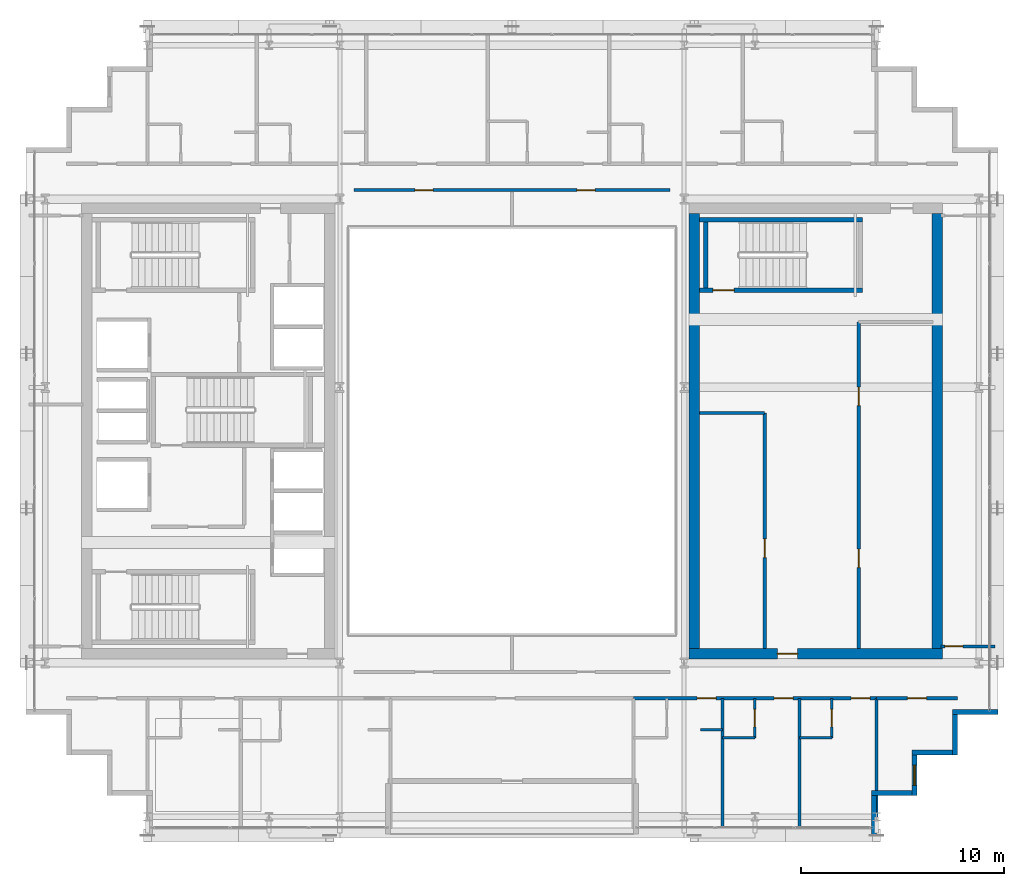
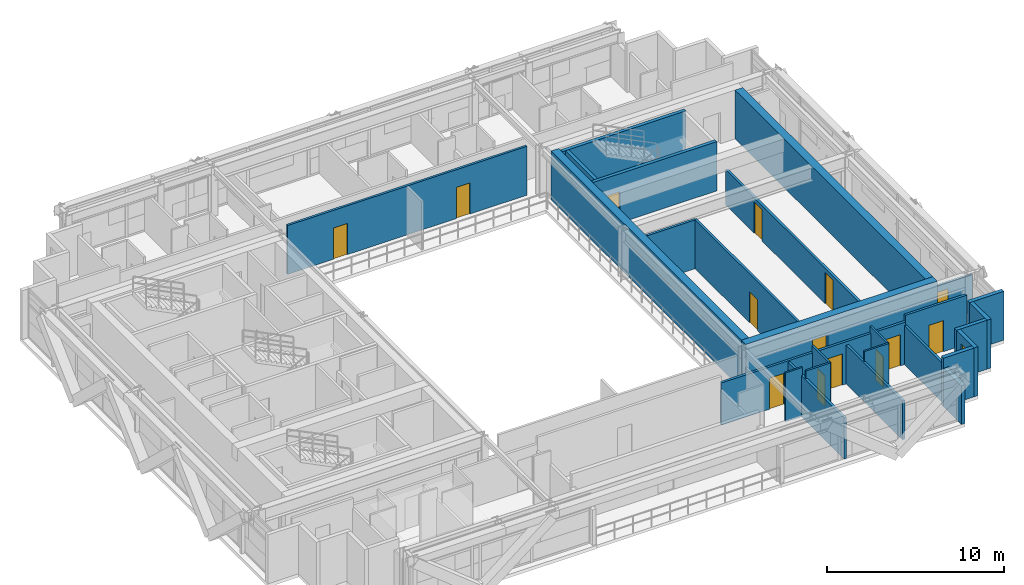
# One storey, part 26 of 32: 27 walls, 14 doors, 1 window, 15 openings.
"""IFC4 building model written with IfcOpenShell, lengths in metres."""

from ifc_helpers import new_model, si_unit, direction, frame, frame_2d, origin, place, context, subcontext, project, spatial, rectangle, extrude, source, transform, mapped, material, layer, layer_set, type_object, element, fill, save


model = new_model("IFC4")

# Units and contexts
model_context = context("Model", 3, precision=1e-05, world=origin(), true_north=direction((0.0, 1.0)))
body_context = subcontext(model_context, "Body", "Model", "MODEL_VIEW")
ifc_project = project(units=[si_unit("LENGTHUNIT", "METRE"), si_unit("AREAUNIT", "SQUARE_METRE"), si_unit("VOLUMEUNIT", "CUBIC_METRE"), si_unit("PLANEANGLEUNIT", "RADIAN"), si_unit("MASSUNIT", "GRAM", prefix="KILO")], contexts=[model_context])

# Site, building, storey
site_placement = place(None, origin())
site = spatial("IfcSite", under=ifc_project, at=site_placement, CompositionType="ELEMENT")
building_placement = place(site_placement, origin())
building = spatial("IfcBuilding", under=site, at=building_placement, Name="Ocotamira Hotel", CompositionType="ELEMENT")
storey_placement = place(building_placement, frame((0.0, 0.0, 206.39990234375)))
storey = spatial("IfcBuildingStorey", under=building, at=storey_placement, Name="L52", CompositionType="ELEMENT", Elevation=206.39990234375)

# Wall, opening, door
ifc_material_1 = material(Name="Concrete C50/60", Category="concrete")
ifc_layer_1 = layer(ifc_material_1, 0.5)
ifc_layer_set_1 = layer_set([ifc_layer_1], Name="Concrete C50/60")
wall_type_1 = type_object("IfcWallType", Name="WL-CORE-500", PredefinedType="SHEAR", material=ifc_layer_set_1)
wall_1_placement = place(storey_placement, frame((40.75, 15.0, 0.0), z_axis=(0.0, 0.0, 1.0), x_axis=(1.0, 0.0, 0.0)))
wall_1 = element("IfcWall", 1, at=wall_1_placement, inside=storey, type_object=wall_type_1, Name="L52 Shear Core Wall ECORE-S", PredefinedType="SHEAR", context=body_context, shape_type="SweptSolid", body=[
    extrude(rectangle(XDim=12.5, YDim=0.5, at=frame_2d((6.25, 0.0))), origin(), (0.0, 0.0, 1.0), 3.3701171875),
])
opening_1_placement = place(wall_1_placement, frame((4.35009765625, 0.0, 0.0)))
opening_1 = element("IfcOpeningElement", 2, at=opening_1_placement, cuts=wall_1, Name="Opening D-FR2", PredefinedType="OPENING", context=body_context, shape_type="SweptSolid", body=[
    extrude(rectangle(XDim=1.0, YDim=2.14990234375, at=frame_2d((0.5, 1.074951171875))), frame((0.0, 0.260009765625, 0.0), z_axis=(0.0, -1.0, 0.0), x_axis=(1.0, 0.0, 0.0)), (0.0, 0.0, 1.0), 0.52001953125),
])
ifc_material_2 = material(Name="Fire-rated acoustic timber-veneer door", Category="wood")
door_type_1 = type_object("IfcDoorType", Name="DR-FIRE-1000", OperationType="NOTDEFINED", PredefinedType="DOOR", material=ifc_material_2)
shared_shape_1 = source(origin(), body_context, "Body", "SweptSolid", [
    extrude(rectangle(XDim=1.0, YDim=2.14990234375, at=frame_2d((0.5, 1.074951171875))), frame((0.0, 0.02490234375, 0.0), z_axis=(0.0, -1.0, 0.0), x_axis=(1.0, 0.0, 0.0)), (0.0, 0.0, 1.0), 0.050048828125),
])
door_1_placement = place(opening_1_placement, origin())
door_1 = element("IfcDoor", 3, at=door_1_placement, inside=storey, type_object=door_type_1, Name="L52 Door ID-L52-ELOB-S-D [ID-L52-ELOB-S-D]", OperationType="SINGLE_SWING_RIGHT", OverallHeight=2.14990234375, OverallWidth=1.0, PredefinedType="DOOR", context=body_context, shape_type="MappedRepresentation", body=[
    mapped(shared_shape_1, transform((0.0, 0.0, 0.0), scale=1.0)),
])
fill(opening_1, door_1)

# Walls
for number, where, z_axis, x_axis, name in (
    (4, (41.0, 15.25, 0.0), (0.0, 0.0, 1.0), (0.0, 1.0, 0.0), "L52 Shear Core Wall ECORE-W"),
    (5, (53.0, 15.25, 0.0), (0.0, 0.0, 1.0), (0.0, 1.0, 0.0), "L52 Shear Core Wall ECORE-E"),
):
    element("IfcWall", number, at=place(storey_placement, frame(where, z_axis=z_axis, x_axis=x_axis)), inside=storey, type_object=wall_type_1, Name=name, PredefinedType="SHEAR", context=body_context, shape_type="SweptSolid", body=[
        extrude(rectangle(XDim=21.5, YDim=0.5, at=frame_2d((10.75, 0.0))), origin(), (0.0, 0.0, 1.0), 3.3701171875),
    ])
ifc_material_3 = material(Name="Precast concrete C45/55", Category="concrete")
ifc_layer_2 = layer(ifc_material_3, 0.25)
ifc_layer_set_2 = layer_set([ifc_layer_2], Name="Precast concrete C45/55")
wall_type_2 = type_object("IfcWallType", Name="WL-EXT-SER-250", PredefinedType="SOLIDWALL", material=ifc_layer_set_2)
wall_2_placement = place(storey_placement, frame((49.875, 6.0, 0.0), z_axis=(0.0, 0.0, 1.0), x_axis=(0.0, 1.0, 0.0)))
element("IfcWall", 6, at=wall_2_placement, inside=storey, type_object=wall_type_2, Name="L52 Serrated Corner Wall 01", PredefinedType="SOLIDWALL", context=body_context, shape_type="SweptSolid", body=[
    extrude(rectangle(XDim=2.0, YDim=0.25, at=frame_2d((1.0, 0.0))), origin(), (0.0, 0.0, 1.0), 2.677001953125),
])
wall_3_placement = place(storey_placement, frame((49.75, 8.125, 0.0), z_axis=(0.0, 0.0, 1.0), x_axis=(1.0, 0.0, 0.0)))
element("IfcWall", 7, at=wall_3_placement, inside=storey, type_object=wall_type_2, Name="L52 Serrated Corner Wall 02", PredefinedType="SOLIDWALL", context=body_context, shape_type="SweptSolid", body=[
    extrude(rectangle(XDim=2.0, YDim=0.25, at=frame_2d((1.0, 0.0))), origin(), (0.0, 0.0, 1.0), 3.3701171875),
])

# Wall, opening, window
wall_4_placement = place(storey_placement, frame((51.875, 8.0, 0.0), z_axis=(0.0, 0.0, 1.0), x_axis=(0.0, 1.0, 0.0)))
wall_4 = element("IfcWall", 8, at=wall_4_placement, inside=storey, type_object=wall_type_2, Name="L52 Serrated Corner Wall 03", PredefinedType="SOLIDWALL", context=body_context, shape_type="SweptSolid", body=[
    extrude(rectangle(XDim=2.0, YDim=0.25, at=frame_2d((1.0, 0.0))), origin(), (0.0, 0.0, 1.0), 3.3701171875),
])
opening_2_placement = place(wall_4_placement, frame((0.5, 0.0, 0.85009765625)))
opening_2 = element("IfcOpeningElement", 9, at=opening_2_placement, cuts=wall_4, Name="Opening WN-2", PredefinedType="OPENING", context=body_context, shape_type="SweptSolid", body=[
    extrude(rectangle(XDim=1.0, YDim=1.89990234375, at=frame_2d((0.5, 0.949951171875))), frame((0.0, 0.135009765625, 0.0), z_axis=(0.0, -1.0, 0.0), x_axis=(1.0, 0.0, 0.0)), (0.0, 0.0, 1.0), 0.27001953125),
])
ifc_material_4 = material(Name="Double-silver low-E solar glass", Category="glass")
window_type = type_object("IfcWindowType", Name="WIN-SER-1100", PartitioningType="SINGLE_PANEL", PredefinedType="WINDOW", material=ifc_material_4)
shared_shape_2 = source(origin(), body_context, "Body", "SweptSolid", [
    extrude(rectangle(XDim=1.0, YDim=1.89990234375, at=frame_2d((0.5, 0.949951171875))), frame((0.0, 0.030029296875, 0.0), z_axis=(0.0, -1.0, 0.0), x_axis=(1.0, 0.0, 0.0)), (0.0, 0.0, 1.0), 0.06005859375),
])
window_placement = place(opening_2_placement, origin())
window = element("IfcWindow", 10, at=window_placement, inside=storey, type_object=window_type, Name="L52 Serrated Corner Window 03", OverallHeight=1.89990234375, OverallWidth=1.0, PartitioningType="SINGLE_PANEL", PredefinedType="WINDOW", context=body_context, shape_type="MappedRepresentation", body=[
    mapped(shared_shape_2, transform((0.0, 0.0, 0.0), scale=1.0)),
])
fill(opening_2, window)

# Walls
for number, where, z_axis, x_axis, name in (
    (11, (51.75, 10.125, 0.0), (0.0, 0.0, 1.0), (1.0, 0.0, 0.0), "L52 Serrated Corner Wall 04"),
    (12, (53.875, 10.0, 0.0), (0.0, 0.0, 1.0), (0.0, 1.0, 0.0), "L52 Serrated Corner Wall 05"),
):
    element("IfcWall", number, at=place(storey_placement, frame(where, z_axis=z_axis, x_axis=x_axis)), inside=storey, type_object=wall_type_2, Name=name, PredefinedType="SOLIDWALL", context=body_context, shape_type="SweptSolid", body=[
        extrude(rectangle(XDim=2.0, YDim=0.25, at=frame_2d((1.0, 0.0))), origin(), (0.0, 0.0, 1.0), 3.3701171875),
    ])
wall_5_placement = place(storey_placement, frame((53.75, 12.125, 0.0), z_axis=(0.0, 0.0, 1.0), x_axis=(1.0, 0.0, 0.0)))
element("IfcWall", 13, at=wall_5_placement, inside=storey, type_object=wall_type_2, Name="L52 Serrated Corner Wall 06", PredefinedType="SOLIDWALL", context=body_context, shape_type="SweptSolid", body=[
    extrude(rectangle(XDim=2.25, YDim=0.25, at=frame_2d((1.125, 0.0))), origin(), (0.0, 0.0, 1.0), 3.3701171875),
])

# Wall, openings, doors
ifc_material_5 = material(Name="Acoustic double-layer fire gypsum board partition", Category="gypsum")
ifc_layer_3 = layer(ifc_material_5, 0.159912109375)
ifc_layer_set_3 = layer_set([ifc_layer_3], Name="Acoustic double-layer fire gypsum board partition")
wall_type_3 = type_object("IfcWallType", Name="WL-FIRE-160", PredefinedType="PARTITIONING", material=ifc_layer_set_3)
wall_6_placement = place(storey_placement, frame((49.1201171875, 15.25, 0.0), z_axis=(0.0, 0.0, 1.0), x_axis=(0.0, 1.0, 0.0)))
wall_6 = element("IfcWall", 14, at=wall_6_placement, inside=storey, type_object=wall_type_3, Name="L52 Interior Wall PW-L52-EC-FLOW-W", PredefinedType="PARTITIONING", context=body_context, shape_type="SweptSolid", body=[
    extrude(rectangle(XDim=16.1298828125, YDim=0.159912109375, at=frame_2d((8.06494140625, 0.0))), origin(), (0.0, 0.0, 1.0), 2.443115234375),
])
opening_3_placement = place(wall_6_placement, frame((4.0, 0.0, 0.0)))
opening_3 = element("IfcOpeningElement", 15, at=opening_3_placement, cuts=wall_6, Name="Opening D-SV3", PredefinedType="OPENING", context=body_context, shape_type="SweptSolid", body=[
    extrude(rectangle(XDim=0.919921875, YDim=2.14990234375, at=frame_2d((0.4599609375, 1.074951171875))), frame((0.0, 0.08984375, 0.0), z_axis=(0.0, -1.0, 0.0), x_axis=(1.0, 0.0, 0.0)), (0.0, 0.0, 1.0), 0.179931640625),
])
opening_4_placement = place(wall_6_placement, frame((12.0, 0.0, 0.0)))
opening_4 = element("IfcOpeningElement", 16, at=opening_4_placement, cuts=wall_6, Name="Opening D-SV3", PredefinedType="OPENING", context=body_context, shape_type="SweptSolid", body=[
    extrude(rectangle(XDim=0.919921875, YDim=2.14990234375, at=frame_2d((0.4599609375, 1.074951171875))), frame((0.0, 0.08984375, 0.0), z_axis=(0.0, -1.0, 0.0), x_axis=(1.0, 0.0, 0.0)), (0.0, 0.0, 1.0), 0.179931640625),
])
ifc_material_6 = material(Name="Fire-rated walnut hospitality door", Category="wood")
door_type_2 = type_object("IfcDoorType", Name="DR-SERV-920", OperationType="NOTDEFINED", PredefinedType="DOOR", material=ifc_material_6)
shared_shape_3 = source(origin(), body_context, "Body", "SweptSolid", [
    extrude(rectangle(XDim=0.919921875, YDim=2.14990234375, at=frame_2d((0.4599609375, 1.074951171875))), frame((0.0, 0.02490234375, 0.0), z_axis=(0.0, -1.0, 0.0), x_axis=(1.0, 0.0, 0.0)), (0.0, 0.0, 1.0), 0.050048828125),
])
door_2_placement = place(opening_3_placement, origin())
door_2 = element("IfcDoor", 17, at=door_2_placement, inside=storey, type_object=door_type_2, Name="L52 Door ID-L52-EC-FLOW-D1 [ID-L52-EC-FLOW-D1]", OperationType="SINGLE_SWING_LEFT", OverallHeight=2.14990234375, OverallWidth=0.919921875, PredefinedType="DOOR", context=body_context, shape_type="MappedRepresentation", body=[
    mapped(shared_shape_3, transform((0.0, 0.0, 0.0), scale=1.0)),
])
fill(opening_3, door_2)
door_3_placement = place(opening_4_placement, origin())
door_3 = element("IfcDoor", 18, at=door_3_placement, inside=storey, type_object=door_type_2, Name="L52 Door ID-L52-EC-FLOW-D2 [ID-L52-EC-FLOW-D2]", OperationType="SINGLE_SWING_RIGHT", OverallHeight=2.14990234375, OverallWidth=0.919921875, PredefinedType="DOOR", context=body_context, shape_type="MappedRepresentation", body=[
    mapped(shared_shape_3, transform((0.0, 0.0, 0.0), scale=1.0)),
])
fill(opening_4, door_3)

# Wall, opening, door
wall_7_placement = place(storey_placement, frame((50.0, 12.800048828125, 0.0), z_axis=(0.0, 0.0, 1.0), x_axis=(1.0, 0.0, 0.0)))
wall_7 = element("IfcWall", 19, at=wall_7_placement, inside=storey, type_object=wall_type_3, Name="L52 Interior Wall PW-L52-Z3E-CSE-CW", PredefinedType="PARTITIONING", context=body_context, shape_type="SweptSolid", body=[
    extrude(rectangle(XDim=4.0, YDim=0.159912109375, at=frame_2d((2.0, 0.0))), origin(), (0.0, 0.0, 1.0), 3.3701171875),
])
opening_5_placement = place(wall_7_placement, frame((1.52001953125, 0.0, 0.0)))
opening_5 = element("IfcOpeningElement", 20, at=opening_5_placement, cuts=wall_7, Name="Opening D-SV4", PredefinedType="OPENING", context=body_context, shape_type="SweptSolid", body=[
    extrude(rectangle(XDim=0.9599609375, YDim=2.14990234375, at=frame_2d((0.47998046875, 1.074951171875))), frame((0.0, 0.08984375, 0.0), z_axis=(0.0, -1.0, 0.0), x_axis=(1.0, 0.0, 0.0)), (0.0, 0.0, 1.0), 0.179931640625),
])
ifc_material_7 = material(Name="Fire-rated accessible walnut salon door", Category="wood")
door_type_3 = type_object("IfcDoorType", Name="DR-SERV-960", OperationType="NOTDEFINED", PredefinedType="DOOR", material=ifc_material_7)
shared_shape_4 = source(origin(), body_context, "Body", "SweptSolid", [
    extrude(rectangle(XDim=0.9599609375, YDim=2.14990234375, at=frame_2d((0.47998046875, 1.074951171875))), frame((0.0, 0.02490234375, 0.0), z_axis=(0.0, -1.0, 0.0), x_axis=(1.0, 0.0, 0.0)), (0.0, 0.0, 1.0), 0.050048828125),
])
door_4_placement = place(opening_5_placement, origin())
door_4 = element("IfcDoor", 21, at=door_4_placement, inside=storey, type_object=door_type_3, Name="L52 Door ID-L52-Z3E-CSE-CD [ID-L52-Z3E-CSE-CD]", OperationType="SINGLE_SWING_LEFT", OverallHeight=2.14990234375, OverallWidth=0.9599609375, PredefinedType="DOOR", context=body_context, shape_type="MappedRepresentation", body=[
    mapped(shared_shape_4, transform((0.0, 0.0, 0.0), scale=1.0)),
])
fill(opening_5, door_4)

# Wall, openings, doors
wall_8_placement = place(storey_placement, frame((38.0, 12.800048828125, 0.0), z_axis=(0.0, 0.0, 1.0), x_axis=(1.0, 0.0, 0.0)))
wall_8 = element("IfcWall", 22, at=wall_8_placement, inside=storey, type_object=wall_type_3, Name="L52 Interior Wall PW-L52-Z3ESE-CORRW", PredefinedType="PARTITIONING", context=body_context, shape_type="SweptSolid", body=[
    extrude(rectangle(XDim=12.0, YDim=0.159912109375, at=frame_2d((6.0, 0.0))), origin(), (0.0, 0.0, 1.0), 2.9130859375),
])
opening_6_placement = place(wall_8_placement, frame((3.139892578125, 0.0, 0.0)))
opening_6 = element("IfcOpeningElement", 23, at=opening_6_placement, cuts=wall_8, Name="Opening D-GR1", PredefinedType="OPENING", context=body_context, shape_type="SweptSolid", body=[
    extrude(rectangle(XDim=0.93994140625, YDim=2.14990234375, at=frame_2d((0.469970703125, 1.074951171875))), frame((0.0, 0.08984375, 0.0), z_axis=(0.0, -1.0, 0.0), x_axis=(1.0, 0.0, 0.0)), (0.0, 0.0, 1.0), 0.179931640625),
])
opening_7_placement = place(wall_8_placement, frame((6.93994140625, 0.0, 0.0)))
opening_7 = element("IfcOpeningElement", 24, at=opening_7_placement, cuts=wall_8, Name="Opening D-GR1", PredefinedType="OPENING", context=body_context, shape_type="SweptSolid", body=[
    extrude(rectangle(XDim=0.93994140625, YDim=2.14990234375, at=frame_2d((0.469970703125, 1.074951171875))), frame((0.0, 0.08984375, 0.0), z_axis=(0.0, -1.0, 0.0), x_axis=(1.0, 0.0, 0.0)), (0.0, 0.0, 1.0), 0.179931640625),
])
opening_8_placement = place(wall_8_placement, frame((10.739990234375, 0.0, 0.0)))
opening_8 = element("IfcOpeningElement", 25, at=opening_8_placement, cuts=wall_8, Name="Opening D-GR1", PredefinedType="OPENING", context=body_context, shape_type="SweptSolid", body=[
    extrude(rectangle(XDim=0.93994140625, YDim=2.14990234375, at=frame_2d((0.469970703125, 1.074951171875))), frame((0.0, 0.08984375, 0.0), z_axis=(0.0, -1.0, 0.0), x_axis=(1.0, 0.0, 0.0)), (0.0, 0.0, 1.0), 0.179931640625),
])
ifc_material_8 = material(Name="Solid-core walnut suite entrance fire door", Category="wood")
door_type_4 = type_object("IfcDoorType", Name="DR-GUEST-940", OperationType="NOTDEFINED", PredefinedType="DOOR", material=ifc_material_8)
shared_shape_5 = source(origin(), body_context, "Body", "SweptSolid", [
    extrude(rectangle(XDim=0.93994140625, YDim=2.14990234375, at=frame_2d((0.469970703125, 1.074951171875))), frame((0.0, 0.02490234375, 0.0), z_axis=(0.0, -1.0, 0.0), x_axis=(1.0, 0.0, 0.0)), (0.0, 0.0, 1.0), 0.050048828125),
])
door_5_placement = place(opening_6_placement, origin())
door_5 = element("IfcDoor", 26, at=door_5_placement, inside=storey, type_object=door_type_4, Name="L52 Door ID-L52-Z3ESE-RMD1 [ID-L52-Z3ESE-RMD1]", OperationType="SINGLE_SWING_LEFT", OverallHeight=2.14990234375, OverallWidth=0.93994140625, PredefinedType="DOOR", context=body_context, shape_type="MappedRepresentation", body=[
    mapped(shared_shape_5, transform((0.0, 0.0, 0.0), scale=1.0)),
])
fill(opening_6, door_5)
door_6_placement = place(opening_7_placement, origin())
door_6 = element("IfcDoor", 27, at=door_6_placement, inside=storey, type_object=door_type_4, Name="L52 Door ID-L52-Z3ESE-RMD2 [ID-L52-Z3ESE-RMD2]", OperationType="SINGLE_SWING_RIGHT", OverallHeight=2.14990234375, OverallWidth=0.93994140625, PredefinedType="DOOR", context=body_context, shape_type="MappedRepresentation", body=[
    mapped(shared_shape_5, transform((0.0, 0.0, 0.0), scale=1.0)),
])
fill(opening_7, door_6)
door_7_placement = place(opening_8_placement, origin())
door_7 = element("IfcDoor", 28, at=door_7_placement, inside=storey, type_object=door_type_4, Name="L52 Door ID-L52-Z3ESE-RMD3 [ID-L52-Z3ESE-RMD3]", OperationType="SINGLE_SWING_LEFT", OverallHeight=2.14990234375, OverallWidth=0.93994140625, PredefinedType="DOOR", context=body_context, shape_type="MappedRepresentation", body=[
    mapped(shared_shape_5, transform((0.0, 0.0, 0.0), scale=1.0)),
])
fill(opening_8, door_7)

# Wall
ifc_material_9 = material(Name="Moisture-resistant en-suite tile and gypsum partition", Category="gypsum")
ifc_layer_4 = layer(ifc_material_9, 0.1201171875)
ifc_layer_set_4 = layer_set([ifc_layer_4], Name="Moisture-resistant en-suite tile and gypsum partition")
wall_type_4 = type_object("IfcWallType", Name="WL-PART-120", PredefinedType="PARTITIONING", material=ifc_layer_set_4)
wall_9_placement = place(storey_placement, frame((41.300048828125, 11.25, 0.0), z_axis=(0.0, 0.0, 1.0), x_axis=(1.0, 0.0, 0.0)))
element("IfcWall", 29, at=wall_9_placement, inside=storey, type_object=wall_type_4, Name="L52 Interior Wall PW-L52-Z3ESE-DRN1", PredefinedType="PARTITIONING", context=body_context, shape_type="SweptSolid", body=[
    extrude(rectangle(XDim=1.099853515625, YDim=0.1201171875, at=frame_2d((0.5498046875, 0.0))), origin(), (0.0, 0.0, 1.0), 3.3701171875),
])

# Wall, opening, door
wall_10_placement = place(storey_placement, frame((43.989990234375, 10.85009765625, 0.0), z_axis=(0.0, 0.0, 1.0), x_axis=(0.0, 1.0, 0.0)))
wall_10 = element("IfcWall", 30, at=wall_10_placement, inside=storey, type_object=wall_type_4, Name="L52 Interior Wall PW-L52-Z3ESE-BAE2", PredefinedType="PARTITIONING", context=body_context, shape_type="SweptSolid", body=[
    extrude(rectangle(XDim=1.949951171875, YDim=0.1201171875, at=frame_2d((0.97509765625, 0.0))), origin(), (0.0, 0.0, 1.0), 3.3701171875),
])
opening_9_placement = place(wall_10_placement, frame((0.544921875, 0.0, 0.0)))
opening_9 = element("IfcOpeningElement", 31, at=opening_9_placement, cuts=wall_10, Name="Opening D-BA1", PredefinedType="OPENING", context=body_context, shape_type="SweptSolid", body=[
    extrude(rectangle(XDim=0.860107421875, YDim=2.10009765625, at=frame_2d((0.43017578125, 1.050048828125))), frame((0.0, 0.070068359375, 0.0), z_axis=(0.0, -1.0, 0.0), x_axis=(1.0, 0.0, 0.0)), (0.0, 0.0, 1.0), 0.14013671875),
])
ifc_material_10 = material(Name="Moisture-sealed en-suite timber door", Category="wood")
door_type_5 = type_object("IfcDoorType", Name="DR-BATH-860", OperationType="NOTDEFINED", PredefinedType="DOOR", material=ifc_material_10)
shared_shape_6 = source(origin(), body_context, "Body", "SweptSolid", [
    extrude(rectangle(XDim=0.860107421875, YDim=2.10009765625, at=frame_2d((0.43017578125, 1.050048828125))), frame((0.0, 0.02490234375, 0.0), z_axis=(0.0, -1.0, 0.0), x_axis=(1.0, 0.0, 0.0)), (0.0, 0.0, 1.0), 0.050048828125),
])
door_8_placement = place(opening_9_placement, origin())
door_8 = element("IfcDoor", 32, at=door_8_placement, inside=storey, type_object=door_type_5, Name="L52 Door ID-L52-Z3ESE-BAD2 [ID-L52-Z3ESE-BAD2]", OperationType="SINGLE_SWING_LEFT", OverallHeight=2.10009765625, OverallWidth=0.860107421875, PredefinedType="DOOR", context=body_context, shape_type="MappedRepresentation", body=[
    mapped(shared_shape_6, transform((0.0, 0.0, 0.0), scale=1.0)),
])
fill(opening_9, door_8)

# Wall
wall_11_placement = place(storey_placement, frame((42.39990234375, 10.85009765625, 0.0), z_axis=(0.0, 0.0, 1.0), x_axis=(1.0, 0.0, 0.0)))
element("IfcWall", 33, at=wall_11_placement, inside=storey, type_object=wall_type_4, Name="L52 Interior Wall PW-L52-Z3ESE-BAS2", PredefinedType="PARTITIONING", context=body_context, shape_type="SweptSolid", body=[
    extrude(rectangle(XDim=1.590087890625, YDim=0.1201171875, at=frame_2d((0.794921875, 0.0))), origin(), (0.0, 0.0, 1.0), 3.3701171875),
])

# Wall, opening, door
wall_12_placement = place(storey_placement, frame((47.7900390625, 10.85009765625, 0.0), z_axis=(0.0, 0.0, 1.0), x_axis=(0.0, 1.0, 0.0)))
wall_12 = element("IfcWall", 34, at=wall_12_placement, inside=storey, type_object=wall_type_4, Name="L52 Interior Wall PW-L52-Z3ESE-BAE3", PredefinedType="PARTITIONING", context=body_context, shape_type="SweptSolid", body=[
    extrude(rectangle(XDim=1.949951171875, YDim=0.1201171875, at=frame_2d((0.97509765625, 0.0))), origin(), (0.0, 0.0, 1.0), 3.3701171875),
])
opening_10_placement = place(wall_12_placement, frame((0.544921875, 0.0, 0.0)))
opening_10 = element("IfcOpeningElement", 35, at=opening_10_placement, cuts=wall_12, Name="Opening D-BA1", PredefinedType="OPENING", context=body_context, shape_type="SweptSolid", body=[
    extrude(rectangle(XDim=0.860107421875, YDim=2.10009765625, at=frame_2d((0.43017578125, 1.050048828125))), frame((0.0, 0.070068359375, 0.0), z_axis=(0.0, -1.0, 0.0), x_axis=(1.0, 0.0, 0.0)), (0.0, 0.0, 1.0), 0.14013671875),
])
door_9_placement = place(opening_10_placement, origin())
door_9 = element("IfcDoor", 36, at=door_9_placement, inside=storey, type_object=door_type_5, Name="L52 Door ID-L52-Z3ESE-BAD3 [ID-L52-Z3ESE-BAD3]", OperationType="SINGLE_SWING_RIGHT", OverallHeight=2.10009765625, OverallWidth=0.860107421875, PredefinedType="DOOR", context=body_context, shape_type="MappedRepresentation", body=[
    mapped(shared_shape_6, transform((0.0, 0.0, 0.0), scale=1.0)),
])
fill(opening_10, door_9)

# Walls
wall_13_placement = place(storey_placement, frame((46.199951171875, 10.85009765625, 0.0), z_axis=(0.0, 0.0, 1.0), x_axis=(1.0, 0.0, 0.0)))
element("IfcWall", 37, at=wall_13_placement, inside=storey, type_object=wall_type_4, Name="L52 Interior Wall PW-L52-Z3ESE-BAS3", PredefinedType="PARTITIONING", context=body_context, shape_type="SweptSolid", body=[
    extrude(rectangle(XDim=1.590087890625, YDim=0.1201171875, at=frame_2d((0.794921875, 0.0))), origin(), (0.0, 0.0, 1.0), 3.3701171875),
])
ifc_material_11 = material(Name="Acoustic hospitality gypsum board partition", Category="gypsum")
ifc_layer_5 = layer(ifc_material_11, 0.14990234375)
ifc_layer_set_5 = layer_set([ifc_layer_5], Name="Acoustic hospitality gypsum board partition")
wall_type_5 = type_object("IfcWallType", Name="WL-PART-150", PredefinedType="PARTITIONING", material=ifc_layer_set_5)
wall_14_placement = place(storey_placement, frame((41.25, 26.8798828125, 0.0), z_axis=(0.0, 0.0, 1.0), x_axis=(1.0, 0.0, 0.0)))
element("IfcWall", 38, at=wall_14_placement, inside=storey, type_object=wall_type_5, Name="L52 Interior Wall PW-L52-EC-FMID-N", PredefinedType="PARTITIONING", context=body_context, shape_type="SweptSolid", body=[
    extrude(rectangle(XDim=3.22998046875, YDim=0.14990234375, at=frame_2d((1.614990234375, 0.0))), origin(), (0.0, 0.0, 1.0), 3.3701171875),
])

# Wall, opening, door
wall_15_placement = place(storey_placement, frame((44.47998046875, 15.25, 0.0), z_axis=(0.0, 0.0, 1.0), x_axis=(0.0, 1.0, 0.0)))
wall_15 = element("IfcWall", 39, at=wall_15_placement, inside=storey, type_object=wall_type_5, Name="L52 Interior Wall PW-L52-EC-FMID-E", PredefinedType="PARTITIONING", context=body_context, shape_type="SweptSolid", body=[
    extrude(rectangle(XDim=11.6298828125, YDim=0.14990234375, at=frame_2d((5.81494140625, 0.0))), origin(), (0.0, 0.0, 1.0), 3.3701171875),
])
opening_11_placement = place(wall_15_placement, frame((4.5, 0.0, 0.0)))
opening_11 = element("IfcOpeningElement", 40, at=opening_11_placement, cuts=wall_15, Name="Opening D-SV3", PredefinedType="OPENING", context=body_context, shape_type="SweptSolid", body=[
    extrude(rectangle(XDim=0.919921875, YDim=2.14990234375, at=frame_2d((0.4599609375, 1.074951171875))), frame((0.0, 0.0849609375, 0.0), z_axis=(0.0, -1.0, 0.0), x_axis=(1.0, 0.0, 0.0)), (0.0, 0.0, 1.0), 0.169921875),
])
door_10_placement = place(opening_11_placement, origin())
door_10 = element("IfcDoor", 41, at=door_10_placement, inside=storey, type_object=door_type_2, Name="L52 Door ID-L52-EC-FMID-D1 [ID-L52-EC-FMID-D1]", OperationType="SINGLE_SWING_RIGHT", OverallHeight=2.14990234375, OverallWidth=0.919921875, PredefinedType="DOOR", context=body_context, shape_type="MappedRepresentation", body=[
    mapped(shared_shape_3, transform((0.0, 0.0, 0.0), scale=1.0)),
])
fill(opening_11, door_10)

# Wall, openings, doors
wall_16_placement = place(storey_placement, frame((24.199951171875, 37.89990234375, 0.0), z_axis=(0.0, 0.0, 1.0), x_axis=(1.0, 0.0, 0.0)))
wall_16 = element("IfcWall", 42, at=wall_16_placement, inside=storey, type_object=wall_type_5, Name="L52 Interior Wall PW-L52-Z3E-ATRNW", PredefinedType="PARTITIONING", context=body_context, shape_type="SweptSolid", body=[
    extrude(rectangle(XDim=15.60009765625, YDim=0.14990234375, at=frame_2d((7.800048828125, 0.0))), origin(), (0.0, 0.0, 1.0), 3.3701171875),
])
opening_12_placement = place(wall_16_placement, frame((3.0, 0.0, 0.0)))
opening_12 = element("IfcOpeningElement", 43, at=opening_12_placement, cuts=wall_16, Name="Opening D-IN3", PredefinedType="OPENING", context=body_context, shape_type="SweptSolid", body=[
    extrude(rectangle(XDim=0.89990234375, YDim=2.14990234375, at=frame_2d((0.449951171875, 1.074951171875))), frame((0.0, 0.0849609375, 0.0), z_axis=(0.0, -1.0, 0.0), x_axis=(1.0, 0.0, 0.0)), (0.0, 0.0, 1.0), 0.169921875),
])
opening_13_placement = place(wall_16_placement, frame((11.0, 0.0, 0.0)))
opening_13 = element("IfcOpeningElement", 44, at=opening_13_placement, cuts=wall_16, Name="Opening D-IN3", PredefinedType="OPENING", context=body_context, shape_type="SweptSolid", body=[
    extrude(rectangle(XDim=0.89990234375, YDim=2.14990234375, at=frame_2d((0.449951171875, 1.074951171875))), frame((0.0, 0.0849609375, 0.0), z_axis=(0.0, -1.0, 0.0), x_axis=(1.0, 0.0, 0.0)), (0.0, 0.0, 1.0), 0.169921875),
])
ifc_material_12 = material(Name="Painted service room door", Category="steel")
door_type_6 = type_object("IfcDoorType", Name="DR-INT-900", OperationType="NOTDEFINED", PredefinedType="DOOR", material=ifc_material_12)
shared_shape_7 = source(origin(), body_context, "Body", "SweptSolid", [
    extrude(rectangle(XDim=0.89990234375, YDim=2.14990234375, at=frame_2d((0.449951171875, 1.074951171875))), frame((0.0, 0.02490234375, 0.0), z_axis=(0.0, -1.0, 0.0), x_axis=(1.0, 0.0, 0.0)), (0.0, 0.0, 1.0), 0.050048828125),
])
door_11_placement = place(opening_12_placement, origin())
door_11 = element("IfcDoor", 45, at=door_11_placement, inside=storey, type_object=door_type_6, Name="L52 Door ID-L52-Z3E-AND1D [ID-L52-Z3E-AND1D]", OperationType="SINGLE_SWING_RIGHT", OverallHeight=2.14990234375, OverallWidth=0.89990234375, PredefinedType="DOOR", context=body_context, shape_type="MappedRepresentation", body=[
    mapped(shared_shape_7, transform((0.0, 0.0, 0.0), scale=1.0)),
])
fill(opening_12, door_11)
door_12_placement = place(opening_13_placement, origin())
door_12 = element("IfcDoor", 46, at=door_12_placement, inside=storey, type_object=door_type_6, Name="L52 Door ID-L52-Z3E-AND2D [ID-L52-Z3E-AND2D]", OperationType="SINGLE_SWING_LEFT", OverallHeight=2.14990234375, OverallWidth=0.89990234375, PredefinedType="DOOR", context=body_context, shape_type="MappedRepresentation", body=[
    mapped(shared_shape_7, transform((0.0, 0.0, 0.0), scale=1.0)),
])
fill(opening_13, door_12)

# Wall, opening, door
wall_17_placement = place(storey_placement, frame((53.179931640625, 15.360107421875, 0.0), z_axis=(0.0, 0.0, 1.0), x_axis=(1.0, 0.0, 0.0)))
wall_17 = element("IfcWall", 47, at=wall_17_placement, inside=storey, type_object=wall_type_5, Name="L52 Interior Wall PW-L52-Z3E-EF-WS", PredefinedType="PARTITIONING", context=body_context, shape_type="SweptSolid", body=[
    extrude(rectangle(XDim=2.66015625, YDim=0.14990234375, at=frame_2d((1.330078125, 0.0))), origin(), (0.0, 0.0, 1.0), 2.591064453125),
])
opening_14_placement = place(wall_17_placement, frame((0.199951171875, 0.0, 0.0)))
opening_14 = element("IfcOpeningElement", 48, at=opening_14_placement, cuts=wall_17, Name="Opening D-SV2", PredefinedType="OPENING", context=body_context, shape_type="SweptSolid", body=[
    extrude(rectangle(XDim=0.8798828125, YDim=2.14990234375, at=frame_2d((0.43994140625, 1.074951171875))), frame((0.0, 0.0849609375, 0.0), z_axis=(0.0, -1.0, 0.0), x_axis=(1.0, 0.0, 0.0)), (0.0, 0.0, 1.0), 0.169921875),
])
ifc_material_13 = material(Name="Fire-rated painted steel service door", Category="steel")
door_type_7 = type_object("IfcDoorType", Name="DR-SERV-880", OperationType="NOTDEFINED", PredefinedType="DOOR", material=ifc_material_13)
shared_shape_8 = source(origin(), body_context, "Body", "SweptSolid", [
    extrude(rectangle(XDim=0.8798828125, YDim=2.14990234375, at=frame_2d((0.43994140625, 1.074951171875))), frame((0.0, 0.02490234375, 0.0), z_axis=(0.0, -1.0, 0.0), x_axis=(1.0, 0.0, 0.0)), (0.0, 0.0, 1.0), 0.050048828125),
])
door_13_placement = place(opening_14_placement, origin())
door_13 = element("IfcDoor", 49, at=door_13_placement, inside=storey, type_object=door_type_7, Name="L52 Door ID-L52-Z3E-EF-DS [ID-L52-Z3E-EF-DS]", OperationType="SINGLE_SWING_RIGHT", OverallHeight=2.14990234375, OverallWidth=0.8798828125, PredefinedType="DOOR", context=body_context, shape_type="MappedRepresentation", body=[
    mapped(shared_shape_8, transform((0.0, 0.0, 0.0), scale=1.0)),
])
fill(opening_14, door_13)

# Walls
ifc_material_14 = material(Name="Acoustic double-stud hospitality gypsum partition", Category="gypsum")
ifc_layer_6 = layer(ifc_material_14, 0.159912109375)
ifc_layer_set_6 = layer_set([ifc_layer_6], Name="Acoustic double-stud hospitality gypsum partition")
wall_type_6 = type_object("IfcWallType", Name="WL-PART-160", PredefinedType="PARTITIONING", material=ifc_layer_set_6)
wall_18_placement = place(storey_placement, frame((50.0, 6.360107421875, 0.0), z_axis=(0.0, 0.0, 1.0), x_axis=(0.0, 1.0, 0.0)))
element("IfcWall", 50, at=wall_18_placement, inside=storey, type_object=wall_type_6, Name="L52 Interior Wall PW-L52-Z3ESE-PWEND", PredefinedType="PARTITIONING", context=body_context, shape_type="SweptSolid", body=[
    extrude(rectangle(XDim=6.43994140625, YDim=0.159912109375, at=frame_2d((3.219970703125, 0.0))), origin(), (0.0, 0.0, 1.0), 2.677001953125),
])
wall_19_placement = place(storey_placement, frame((42.39990234375, 6.360107421875, 0.0), z_axis=(0.0, 0.0, 1.0), x_axis=(0.0, 1.0, 0.0)))
element("IfcWall", 51, at=wall_19_placement, inside=storey, type_object=wall_type_6, Name="L52 Interior Wall PW-L52-Z3ESE-PW1", PredefinedType="PARTITIONING", context=body_context, shape_type="SweptSolid", body=[
    extrude(rectangle(XDim=6.43994140625, YDim=0.159912109375, at=frame_2d((3.219970703125, 0.0))), origin(), (0.0, 0.0, 1.0), 2.8330078125),
])
wall_20_placement = place(storey_placement, frame((46.199951171875, 6.360107421875, 0.0), z_axis=(0.0, 0.0, 1.0), x_axis=(0.0, 1.0, 0.0)))
element("IfcWall", 52, at=wall_20_placement, inside=storey, type_object=wall_type_6, Name="L52 Interior Wall PW-L52-Z3ESE-PW2", PredefinedType="PARTITIONING", context=body_context, shape_type="SweptSolid", body=[
    extrude(rectangle(XDim=6.43994140625, YDim=0.159912109375, at=frame_2d((3.219970703125, 0.0))), origin(), (0.0, 0.0, 1.0), 2.677001953125),
])

# Wall, opening, door
ifc_layer_7 = layer(ifc_material_1, 0.219970703125)
ifc_layer_set_7 = layer_set([ifc_layer_7], Name="Concrete C50/60")
wall_type_7 = type_object("IfcWallType", Name="WL-STAIR-220", PredefinedType="SHEAR", material=ifc_layer_set_7)
wall_21_placement = place(storey_placement, frame((41.25, 32.93994140625, 0.0), z_axis=(0.0, 0.0, 1.0), x_axis=(1.0, 0.0, 0.0)))
wall_21 = element("IfcWall", 53, at=wall_21_placement, inside=storey, type_object=wall_type_7, Name="L52 Stair Shaft Structural Wall ST-4-S", PredefinedType="SHEAR", context=body_context, shape_type="SweptSolid", body=[
    extrude(rectangle(XDim=8.06005859375, YDim=0.219970703125, at=frame_2d((4.030029296875, 0.0))), origin(), (0.0, 0.0, 1.0), 3.400146484375),
])
opening_15_placement = place(wall_21_placement, frame((0.669921875, 0.0, 0.0)))
opening_15 = element("IfcOpeningElement", 54, at=opening_15_placement, cuts=wall_21, Name="Opening D-ST2", PredefinedType="OPENING", context=body_context, shape_type="SweptSolid", body=[
    extrude(rectangle(XDim=1.050048828125, YDim=2.14990234375, at=frame_2d((0.52490234375, 1.074951171875))), frame((0.0, 0.1201171875, 0.0), z_axis=(0.0, -1.0, 0.0), x_axis=(1.0, 0.0, 0.0)), (0.0, 0.0, 1.0), 0.239990234375),
])
ifc_material_15 = material(Name="Insulated painted hollow-metal fire exit door", Category="steel")
door_type_8 = type_object("IfcDoorType", Name="DR-STAIR-1050", OperationType="NOTDEFINED", PredefinedType="DOOR", material=ifc_material_15)
shared_shape_9 = source(origin(), body_context, "Body", "SweptSolid", [
    extrude(rectangle(XDim=1.050048828125, YDim=2.14990234375, at=frame_2d((0.52490234375, 1.074951171875))), frame((0.0, 0.02490234375, 0.0), z_axis=(0.0, -1.0, 0.0), x_axis=(1.0, 0.0, 0.0)), (0.0, 0.0, 1.0), 0.050048828125),
])
door_14_placement = place(opening_15_placement, origin())
door_14 = element("IfcDoor", 55, at=door_14_placement, inside=storey, type_object=door_type_8, Name="L52 Door ID-L52-STD-ST-4 [ID-L52-STD-ST-4]", OperationType="SINGLE_SWING_RIGHT", OverallHeight=2.14990234375, OverallWidth=1.050048828125, PredefinedType="DOOR", context=body_context, shape_type="MappedRepresentation", body=[
    mapped(shared_shape_9, transform((0.0, 0.0, 0.0), scale=1.0)),
])
fill(opening_15, door_14)

# Walls
wall_22_placement = place(storey_placement, frame((41.25, 36.43994140625, 0.0), z_axis=(0.0, 0.0, 1.0), x_axis=(1.0, 0.0, 0.0)))
element("IfcWall", 56, at=wall_22_placement, inside=storey, type_object=wall_type_7, Name="L52 Stair Shaft Structural Wall ST-4-N", PredefinedType="SHEAR", context=body_context, shape_type="SweptSolid", body=[
    extrude(rectangle(XDim=8.06005859375, YDim=0.219970703125, at=frame_2d((4.030029296875, 0.0))), origin(), (0.0, 0.0, 1.0), 3.400146484375),
])
wall_23_placement = place(storey_placement, frame((41.56005859375, 33.050048828125, 0.0), z_axis=(0.0, 0.0, 1.0), x_axis=(0.0, 1.0, 0.0)))
element("IfcWall", 57, at=wall_23_placement, inside=storey, type_object=wall_type_7, Name="L52 Stair Shaft Structural Wall ST-4-W", PredefinedType="SHEAR", context=body_context, shape_type="SweptSolid", body=[
    extrude(rectangle(XDim=3.280029296875, YDim=0.219970703125, at=frame_2d((1.64013671875, 0.0))), origin(), (0.0, 0.0, 1.0), 3.400146484375),
])

save(model, "model.ifc")
